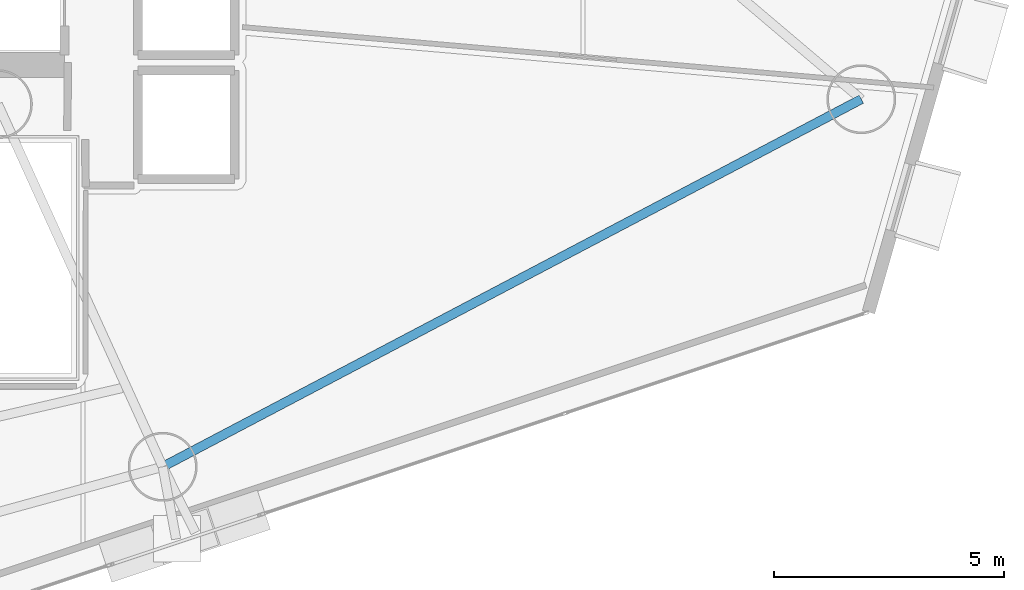
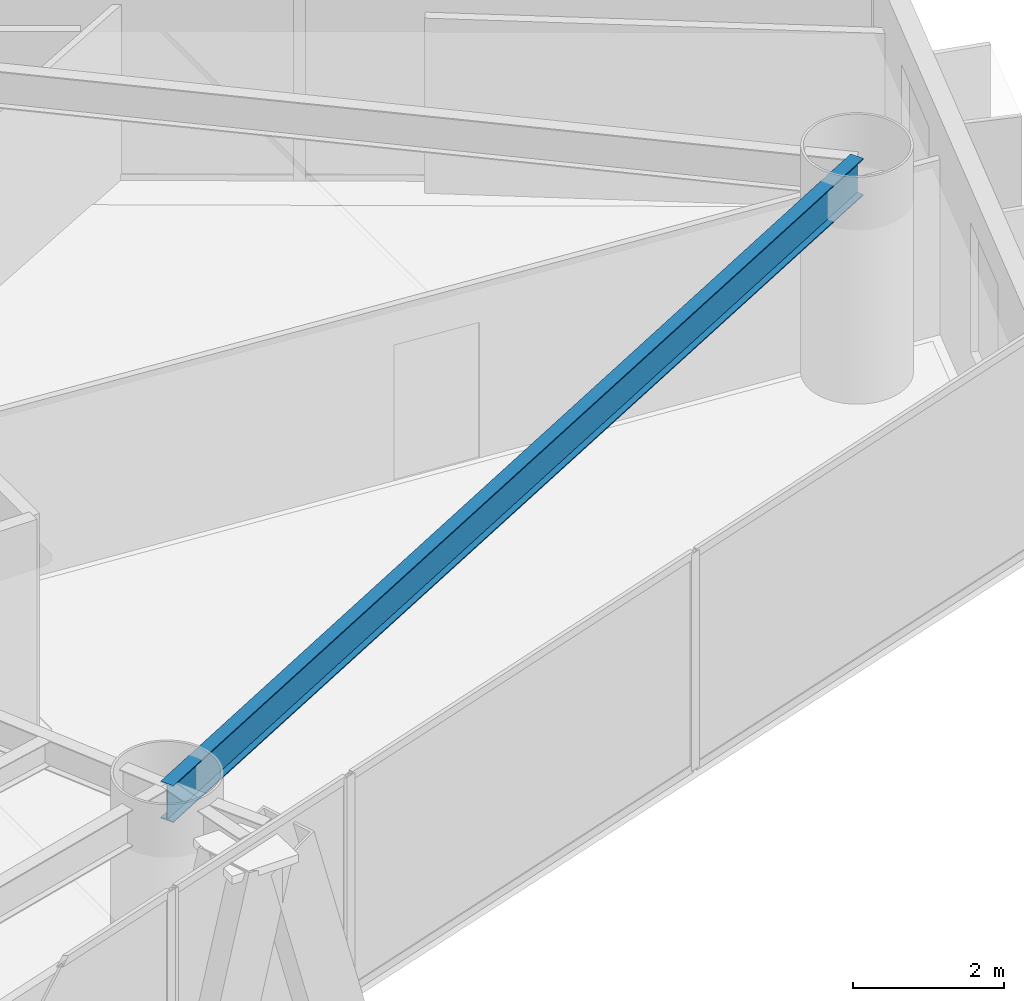
# One storey, part 5 of 19: 1 beam.
"""IFC4 building model written with IfcOpenShell, lengths in metres."""

from ifc_helpers import new_model, si_unit, direction, frame, origin, origin_2d, place, context, subcontext, project, spatial, i_section, extrude, material, material_profile, profile_set, type_object, element, save


model = new_model("IFC4")

# Units and contexts
model_context = context("Model", 3, precision=1e-05, world=origin(), true_north=direction((0.0, 1.0)))
body_context = subcontext(model_context, "Body", "Model", "MODEL_VIEW")
ifc_project = project(units=[si_unit("LENGTHUNIT", "METRE"), si_unit("AREAUNIT", "SQUARE_METRE"), si_unit("VOLUMEUNIT", "CUBIC_METRE"), si_unit("PLANEANGLEUNIT", "RADIAN"), si_unit("MASSUNIT", "GRAM", prefix="KILO")], contexts=[model_context])

# Site, building, storey
site_placement = place(None, origin())
site = spatial("IfcSite", under=ifc_project, at=site_placement, CompositionType="ELEMENT")
building_placement = place(site_placement, origin())
building = spatial("IfcBuilding", under=site, at=building_placement, Name="Qianvela Tower", CompositionType="ELEMENT")
storey_placement = place(building_placement, frame((0.0, 0.0, 120.0)))
storey = spatial("IfcBuildingStorey", under=building, at=storey_placement, Name="L30", CompositionType="ELEMENT", Elevation=120.0)

# Beam
ifc_material = material(Name="Steel Q355B", Category="steel")
ifc_material_profile = material_profile(ifc_material, i_section(OverallWidth=0.199951171875, OverallDepth=0.60009765625, WebThickness=0.010986328125, FlangeThickness=0.01708984375, at=origin_2d()), Name="HN600x200x11x17")
ifc_profile_set = profile_set([ifc_material_profile], Name="Steel Q355B")
beam_type = type_object("IfcBeamType", Name="BM-HN600-GIRD", PredefinedType="BEAM", material=ifc_profile_set)
beam_placement = place(storey_placement, frame((41.988037109375, 15.95703125, 3.218017578125), z_axis=(0.884971229381, 0.465645705627, 0.0), x_axis=(-0.465645705627, 0.884971229381, 0.0)))
element("IfcBeam", 1, at=beam_placement, inside=storey, type_object=beam_type, Name="L30 Perimeter Ring Spandrel Girder 6", PredefinedType="BEAM", context=body_context, shape_type="SweptSolid", body=[
    extrude(i_section(OverallWidth=0.199951171875, OverallDepth=0.60009765625, WebThickness=0.010986328125, FlangeThickness=0.01708984375, at=origin_2d()), origin(), (0.0, 0.0, 1.0), 17.1826171875),
])

save(model, "model.ifc")
